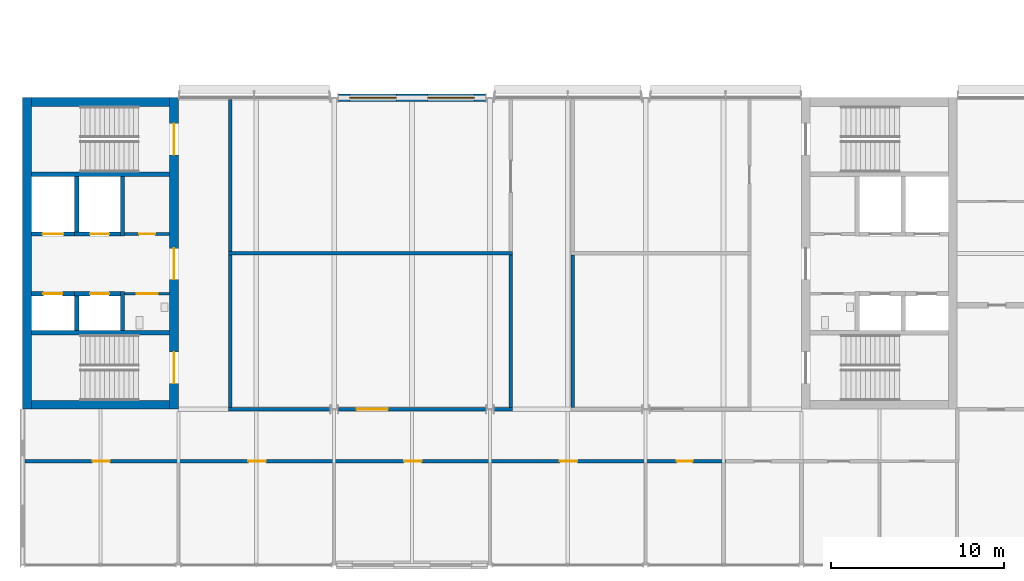
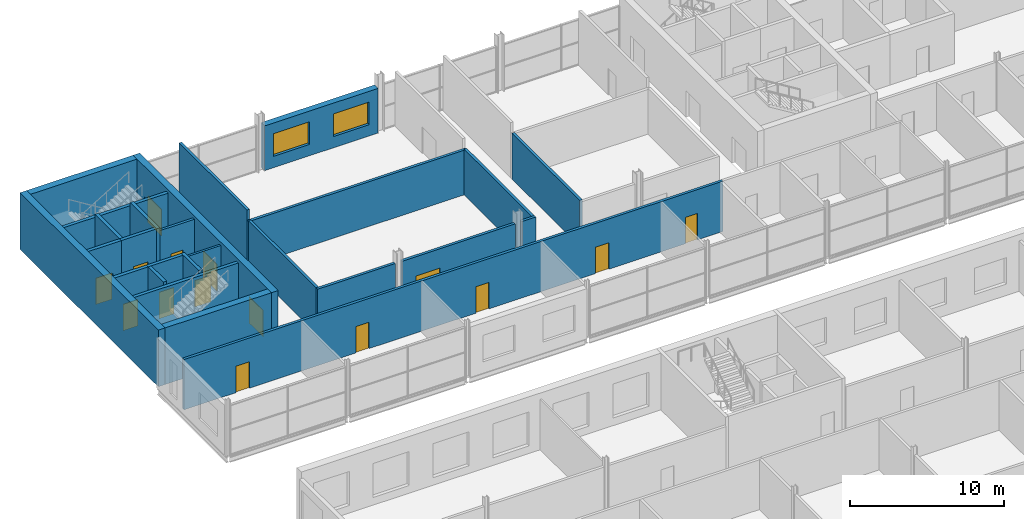
# One storey, part 73 of 97: 26 walls, 15 doors, 2 windows, 17 openings.
"""IFC4 building model written with IfcOpenShell, lengths in metres."""

from ifc_helpers import new_model, si_unit, direction, frame, frame_2d, origin, place, context, subcontext, project, spatial, rectangle, extrude, material, layer, layer_set, type_object, element, fill, save


model = new_model("IFC4")

# Units and contexts
model_context = context("Model", 3, precision=1e-05, world=origin(), true_north=direction((0.0, 1.0)))
body_context = subcontext(model_context, "Body", "Model", "MODEL_VIEW")
ifc_project = project(units=[si_unit("LENGTHUNIT", "METRE"), si_unit("AREAUNIT", "SQUARE_METRE"), si_unit("VOLUMEUNIT", "CUBIC_METRE"), si_unit("PLANEANGLEUNIT", "RADIAN"), si_unit("MASSUNIT", "GRAM", prefix="KILO")], contexts=[model_context])

# Site, building, storey
site_placement = place(None, origin())
site = spatial("IfcSite", under=ifc_project, at=site_placement, CompositionType="ELEMENT")
building_placement = place(site_placement, origin())
building = spatial("IfcBuilding", under=site, at=building_placement, Name="Corbel Yard City Hall", CompositionType="ELEMENT")
storey_placement = place(building_placement, frame((0.0, 0.0, 6.0)))
storey = spatial("IfcBuildingStorey", under=building, at=storey_placement, Name="L01", CompositionType="ELEMENT", Elevation=6.0)

# Wall, openings, windows
ifc_material_1 = material(Name="Sandstone cladding", Category="masonry")
ifc_layer_1 = layer(ifc_material_1, 0.06005859375)
ifc_material_2 = material(Name="Air cavity", Category="air")
ifc_layer_2 = layer(ifc_material_2, 0.0400390625)
ifc_material_3 = material(Name="Concrete N40 (40 MPa)", Category="concrete")
ifc_layer_3 = layer(ifc_material_3, 0.25)
ifc_material_4 = material(Name="Mineral wool", Category="insulation")
ifc_layer_4 = layer(ifc_material_4, 0.10009765625)
ifc_layer_set_1 = layer_set([ifc_layer_1, ifc_layer_2, ifc_layer_3, ifc_layer_4], Name="Concrete N40 (40 MPa)")
wall_type_1 = type_object("IfcWallType", Name="EW2", PredefinedType="SOLIDWALL", material=ifc_layer_set_1)
wall_1_placement = place(storey_placement, frame((18.239990234375, 117.0, 0.0), z_axis=(0.0, 0.0, 1.0), x_axis=(1.0, 0.0, 0.0)))
wall_1 = element("IfcWall", 1, at=wall_1_placement, inside=storey, type_object=wall_type_1, Name="Entrance pier wall", PredefinedType="SOLIDWALL", context=body_context, shape_type="SweptSolid", body=[
    extrude(rectangle(XDim=8.52001953125, YDim=0.449951171875, at=frame_2d((4.260009765625, 0.0))), origin(), (0.0, 0.0, 1.0), 3.550048828125),
])
opening_1_placement = place(wall_1_placement, frame((0.659912109375, 0.0, 0.89990234375)))
opening_1 = element("IfcOpeningElement", 2, at=opening_1_placement, cuts=wall_1, Name="Opening WN16", PredefinedType="OPENING", context=body_context, shape_type="SweptSolid", body=[
    extrude(rectangle(XDim=2.699951171875, YDim=1.800048828125, at=frame_2d((1.35009765625, 0.89990234375))), frame((0.0, 0.23486328125, 0.0), z_axis=(0.0, -1.0, 0.0), x_axis=(1.0, 0.0, 0.0)), (0.0, 0.0, 1.0), 0.469970703125),
])
opening_2_placement = place(wall_1_placement, frame((5.159912109375, 0.0, 0.89990234375)))
opening_2 = element("IfcOpeningElement", 3, at=opening_2_placement, cuts=wall_1, Name="Opening WN16", PredefinedType="OPENING", context=body_context, shape_type="SweptSolid", body=[
    extrude(rectangle(XDim=2.699951171875, YDim=1.800048828125, at=frame_2d((1.35009765625, 0.89990234375))), frame((0.0, 0.23486328125, 0.0), z_axis=(0.0, -1.0, 0.0), x_axis=(1.0, 0.0, 0.0)), (0.0, 0.0, 1.0), 0.469970703125),
])
ifc_material_5 = material(Name="Aluminium frame, double glazed low-e glass", Category="aluminium")
window_type = type_object("IfcWindowType", Name="WN16", PartitioningType="SINGLE_PANEL", PredefinedType="WINDOW", material=ifc_material_5)
window_1_placement = place(opening_1_placement, origin())
window_1 = element("IfcWindow", 4, at=window_1_placement, inside=storey, type_object=window_type, Name="Window WN16 L01", OverallHeight=1.800048828125, OverallWidth=2.699951171875, PartitioningType="SINGLE_PANEL", PredefinedType="WINDOW", context=body_context, shape_type="SweptSolid", body=[
    extrude(rectangle(XDim=2.699951171875, YDim=1.800048828125, at=frame_2d((1.35009765625, 0.89990234375))), frame((0.0, 0.030029296875, 0.0), z_axis=(0.0, -1.0, 0.0), x_axis=(1.0, 0.0, 0.0)), (0.0, 0.0, 1.0), 0.06005859375),
])
fill(opening_1, window_1)
window_2_placement = place(opening_2_placement, origin())
window_2 = element("IfcWindow", 5, at=window_2_placement, inside=storey, type_object=window_type, Name="Window WN16 L01", OverallHeight=1.800048828125, OverallWidth=2.699951171875, PartitioningType="SINGLE_PANEL", PredefinedType="WINDOW", context=body_context, shape_type="SweptSolid", body=[
    extrude(rectangle(XDim=2.699951171875, YDim=1.800048828125, at=frame_2d((1.35009765625, 0.89990234375))), frame((0.0, 0.030029296875, 0.0), z_axis=(0.0, -1.0, 0.0), x_axis=(1.0, 0.0, 0.0)), (0.0, 0.0, 1.0), 0.06005859375),
])
fill(opening_2, window_2)

# Walls
ifc_layer_5 = layer(ifc_material_3, 0.25)
ifc_layer_set_2 = layer_set([ifc_layer_5], Name="Concrete N40 (40 MPa)")
wall_type_2 = type_object("IfcWallType", Name="IW2", PredefinedType="SOLIDWALL", material=ifc_layer_set_2)
for number, where, z_axis, x_axis, name in (
    (6, (8.5, 103.425048828125, 0.0), (0.0, 0.0, 1.0), (-1.0, 0.0, 0.0), "Stair enclosure wall"),
    (7, (8.5, 112.574951171875, 0.0), (0.0, 0.0, 1.0), (-1.0, 0.0, 0.0), "Stair enclosure wall"),
):
    element("IfcWall", number, at=place(storey_placement, frame(where, z_axis=z_axis, x_axis=x_axis)), inside=storey, type_object=wall_type_2, Name=name, PredefinedType="SOLIDWALL", context=body_context, shape_type="SweptSolid", body=[
        extrude(rectangle(XDim=8.0, YDim=0.25, at=frame_2d((4.0, 0.0))), origin(), (0.0, 0.0, 1.0), 4.25),
    ])
wall_2_placement = place(storey_placement, frame((5.77490234375, 103.550048828125, 0.0), z_axis=(0.0, 0.0, 1.0), x_axis=(0.0, 1.0, 0.0)))
element("IfcWall", 8, at=wall_2_placement, inside=storey, type_object=wall_type_2, Name="Lift LP22 shaft wall", PredefinedType="SOLIDWALL", context=body_context, shape_type="SweptSolid", body=[
    extrude(rectangle(XDim=2.25, YDim=0.25, at=frame_2d((1.125, 0.0))), origin(), (0.0, 0.0, 1.0), 4.5),
])
wall_3_placement = place(storey_placement, frame((3.125, 103.550048828125, 0.0), z_axis=(0.0, 0.0, 1.0), x_axis=(0.0, 1.0, 0.0)))
element("IfcWall", 9, at=wall_3_placement, inside=storey, type_object=wall_type_2, Name="Lift LP22 shaft wall", PredefinedType="SOLIDWALL", context=body_context, shape_type="SweptSolid", body=[
    extrude(rectangle(XDim=2.0, YDim=0.25, at=frame_2d((1.0, 0.0))), origin(), (0.0, 0.0, 1.0), 4.5),
])

# Wall, opening, door
wall_4_placement = place(storey_placement, frame((5.64990234375, 105.675048828125, 0.0), z_axis=(0.0, 0.0, 1.0), x_axis=(-1.0, 0.0, 0.0)))
wall_4 = element("IfcWall", 10, at=wall_4_placement, inside=storey, type_object=wall_type_2, Name="Lift LP22 shaft wall", PredefinedType="SOLIDWALL", context=body_context, shape_type="SweptSolid", body=[
    extrude(rectangle(XDim=2.64990234375, YDim=0.25, at=frame_2d((1.324951171875, 0.0))), origin(), (0.0, 0.0, 1.0), 4.5),
])
opening_3_placement = place(wall_4_placement, frame((0.64990234375, 0.0, 0.0)))
opening_3 = element("IfcOpeningElement", 11, at=opening_3_placement, cuts=wall_4, Name="Opening L01-222", PredefinedType="OPENING", context=body_context, shape_type="SweptSolid", body=[
    extrude(rectangle(XDim=1.10009765625, YDim=2.10009765625, at=frame_2d((0.550048828125, 1.050048828125))), frame((0.0, 0.135009765625, 0.0), z_axis=(0.0, -1.0, 0.0), x_axis=(1.0, 0.0, 0.0)), (0.0, 0.0, 1.0), 0.27001953125),
])
ifc_material_6 = material(Name="Stainless steel Grade 316", Category="steel")
door_type_1 = type_object("IfcDoorType", Name="LD1", OperationType="DOUBLE_DOOR_SLIDING", PredefinedType="DOOR", material=ifc_material_6)
door_1_placement = place(opening_3_placement, origin())
door_1 = element("IfcDoor", 12, at=door_1_placement, inside=storey, type_object=door_type_1, Name="Lift LP22 landing door", OperationType="DOUBLE_DOOR_SLIDING", OverallHeight=2.10009765625, OverallWidth=1.10009765625, PredefinedType="DOOR", context=body_context, shape_type="SweptSolid", body=[
    extrude(rectangle(XDim=1.10009765625, YDim=2.10009765625, at=frame_2d((0.550048828125, 1.050048828125))), frame((0.0, 0.02490234375, 0.0), z_axis=(0.0, -1.0, 0.0), x_axis=(1.0, 0.0, 0.0)), (0.0, 0.0, 1.0), 0.050048828125),
])
fill(opening_3, door_1)

wall_5_placement = place(storey_placement, frame((3.0, 105.675048828125, 0.0), z_axis=(0.0, 0.0, 1.0), x_axis=(-1.0, 0.0, 0.0)))
wall_5 = element("IfcWall", 13, at=wall_5_placement, inside=storey, type_object=wall_type_2, Name="Lift LP23 shaft wall", PredefinedType="SOLIDWALL", context=body_context, shape_type="SweptSolid", body=[
    extrude(rectangle(XDim=2.5, YDim=0.25, at=frame_2d((1.25, 0.0))), origin(), (0.0, 0.0, 1.0), 4.5),
])
opening_4_placement = place(wall_5_placement, frame((0.699951171875, 0.0, 0.0)))
opening_4 = element("IfcOpeningElement", 14, at=opening_4_placement, cuts=wall_5, Name="Opening L01-223", PredefinedType="OPENING", context=body_context, shape_type="SweptSolid", body=[
    extrude(rectangle(XDim=1.10009765625, YDim=2.10009765625, at=frame_2d((0.550048828125, 1.050048828125))), frame((0.0, 0.135009765625, 0.0), z_axis=(0.0, -1.0, 0.0), x_axis=(1.0, 0.0, 0.0)), (0.0, 0.0, 1.0), 0.27001953125),
])
door_2_placement = place(opening_4_placement, origin())
door_2 = element("IfcDoor", 15, at=door_2_placement, inside=storey, type_object=door_type_1, Name="Lift LP23 landing door", OperationType="DOUBLE_DOOR_SLIDING", OverallHeight=2.10009765625, OverallWidth=1.10009765625, PredefinedType="DOOR", context=body_context, shape_type="SweptSolid", body=[
    extrude(rectangle(XDim=1.10009765625, YDim=2.10009765625, at=frame_2d((0.550048828125, 1.050048828125))), frame((0.0, 0.02490234375, 0.0), z_axis=(0.0, -1.0, 0.0), x_axis=(1.0, 0.0, 0.0)), (0.0, 0.0, 1.0), 0.050048828125),
])
fill(opening_4, door_2)

# Walls
wall_6_placement = place(storey_placement, frame((5.77490234375, 109.0, 0.0), z_axis=(0.0, 0.0, 1.0), x_axis=(0.0, 1.0, 0.0)))
element("IfcWall", 16, at=wall_6_placement, inside=storey, type_object=wall_type_2, Name="Lift LP24 shaft wall", PredefinedType="SOLIDWALL", context=body_context, shape_type="SweptSolid", body=[
    extrude(rectangle(XDim=3.449951171875, YDim=0.25, at=frame_2d((1.72509765625, 0.0))), origin(), (0.0, 0.0, 1.0), 4.5),
])
wall_7_placement = place(storey_placement, frame((3.125, 109.25, 0.0), z_axis=(0.0, 0.0, 1.0), x_axis=(0.0, 1.0, 0.0)))
element("IfcWall", 17, at=wall_7_placement, inside=storey, type_object=wall_type_2, Name="Lift LP24 shaft wall", PredefinedType="SOLIDWALL", context=body_context, shape_type="SweptSolid", body=[
    extrude(rectangle(XDim=3.199951171875, YDim=0.25, at=frame_2d((1.60009765625, 0.0))), origin(), (0.0, 0.0, 1.0), 4.5),
])

# Wall, opening, door
wall_8_placement = place(storey_placement, frame((5.64990234375, 109.125, 0.0), z_axis=(0.0, 0.0, 1.0), x_axis=(-1.0, 0.0, 0.0)))
wall_8 = element("IfcWall", 18, at=wall_8_placement, inside=storey, type_object=wall_type_2, Name="Lift LP24 shaft wall", PredefinedType="SOLIDWALL", context=body_context, shape_type="SweptSolid", body=[
    extrude(rectangle(XDim=2.64990234375, YDim=0.25, at=frame_2d((1.324951171875, 0.0))), origin(), (0.0, 0.0, 1.0), 4.5),
])
opening_5_placement = place(wall_8_placement, frame((0.64990234375, 0.0, 0.0)))
opening_5 = element("IfcOpeningElement", 19, at=opening_5_placement, cuts=wall_8, Name="Opening L01-224", PredefinedType="OPENING", context=body_context, shape_type="SweptSolid", body=[
    extrude(rectangle(XDim=1.10009765625, YDim=2.10009765625, at=frame_2d((0.550048828125, 1.050048828125))), frame((0.0, 0.135009765625, 0.0), z_axis=(0.0, -1.0, 0.0), x_axis=(1.0, 0.0, 0.0)), (0.0, 0.0, 1.0), 0.27001953125),
])
door_3_placement = place(opening_5_placement, origin())
door_3 = element("IfcDoor", 20, at=door_3_placement, inside=storey, type_object=door_type_1, Name="Lift LP24 landing door", OperationType="DOUBLE_DOOR_SLIDING", OverallHeight=2.10009765625, OverallWidth=1.10009765625, PredefinedType="DOOR", context=body_context, shape_type="SweptSolid", body=[
    extrude(rectangle(XDim=1.10009765625, YDim=2.10009765625, at=frame_2d((0.550048828125, 1.050048828125))), frame((0.0, 0.02490234375, 0.0), z_axis=(0.0, -1.0, 0.0), x_axis=(1.0, 0.0, 0.0)), (0.0, 0.0, 1.0), 0.050048828125),
])
fill(opening_5, door_3)

wall_9_placement = place(storey_placement, frame((3.0, 109.125, 0.0), z_axis=(0.0, 0.0, 1.0), x_axis=(-1.0, 0.0, 0.0)))
wall_9 = element("IfcWall", 21, at=wall_9_placement, inside=storey, type_object=wall_type_2, Name="Lift LF1 shaft wall", PredefinedType="SOLIDWALL", context=body_context, shape_type="SweptSolid", body=[
    extrude(rectangle(XDim=2.5, YDim=0.25, at=frame_2d((1.25, 0.0))), origin(), (0.0, 0.0, 1.0), 4.5),
])
opening_6_placement = place(wall_9_placement, frame((0.64990234375, 0.0, 0.0)))
opening_6 = element("IfcOpeningElement", 22, at=opening_6_placement, cuts=wall_9, Name="Opening L01-225", PredefinedType="OPENING", context=body_context, shape_type="SweptSolid", body=[
    extrude(rectangle(XDim=1.199951171875, YDim=2.10009765625, at=frame_2d((0.60009765625, 1.050048828125))), frame((0.0, 0.135009765625, 0.0), z_axis=(0.0, -1.0, 0.0), x_axis=(1.0, 0.0, 0.0)), (0.0, 0.0, 1.0), 0.27001953125),
])
door_type_2 = type_object("IfcDoorType", Name="LD2", OperationType="DOUBLE_DOOR_SLIDING", PredefinedType="DOOR", material=ifc_material_6)
door_4_placement = place(opening_6_placement, origin())
door_4 = element("IfcDoor", 23, at=door_4_placement, inside=storey, type_object=door_type_2, Name="Lift LF1 landing door", OperationType="DOUBLE_DOOR_SLIDING", OverallHeight=2.10009765625, OverallWidth=1.199951171875, PredefinedType="DOOR", context=body_context, shape_type="SweptSolid", body=[
    extrude(rectangle(XDim=1.199951171875, YDim=2.10009765625, at=frame_2d((0.60009765625, 1.050048828125))), frame((0.0, 0.02490234375, 0.0), z_axis=(0.0, -1.0, 0.0), x_axis=(1.0, 0.0, 0.0)), (0.0, 0.0, 1.0), 0.050048828125),
])
fill(opening_6, door_4)

# Wall, openings, doors
ifc_material_7 = material(Name="Gypsum plasterboard", Category="gypsum")
ifc_layer_6 = layer(ifc_material_7, 0.031982421875)
ifc_material_8 = material(Name="Steel Grade G550 (550 MPa yield)", Category="steel")
ifc_layer_7 = layer(ifc_material_8, 0.135986328125)
ifc_layer_8 = layer(ifc_material_7, 0.031982421875)
ifc_layer_set_3 = layer_set([ifc_layer_6, ifc_layer_7, ifc_layer_8], Name="Steel Grade G550 (550 MPa yield)")
wall_type_3 = type_object("IfcWallType", Name="PT2", PredefinedType="PARTITIONING", material=ifc_layer_set_3)
wall_10_placement = place(storey_placement, frame((0.14990234375, 96.0, 0.0), z_axis=(0.0, 0.0, 1.0), x_axis=(1.0, 0.0, 0.0)))
wall_10 = element("IfcWall", 24, at=wall_10_placement, inside=storey, type_object=wall_type_3, Name="Acoustic wall", PredefinedType="PARTITIONING", context=body_context, shape_type="SweptSolid", body=[
    extrude(rectangle(XDim=40.460205078125, YDim=0.199951171875, at=frame_2d((20.22998046875, 0.0))), origin(), (0.0, 0.0, 1.0), 3.990966796875),
])
opening_7_placement = place(wall_10_placement, frame((3.89990234375, 0.0, 0.0)))
opening_7 = element("IfcOpeningElement", 25, at=opening_7_placement, cuts=wall_10, Name="Opening L01-165", PredefinedType="OPENING", context=body_context, shape_type="SweptSolid", body=[
    extrude(rectangle(XDim=1.0, YDim=2.10009765625, at=frame_2d((0.5, 1.050048828125))), frame((0.0, 0.10986328125, 0.0), z_axis=(0.0, -1.0, 0.0), x_axis=(1.0, 0.0, 0.0)), (0.0, 0.0, 1.0), 0.219970703125),
])
opening_8_placement = place(wall_10_placement, frame((12.89990234375, 0.0, 0.0)))
opening_8 = element("IfcOpeningElement", 26, at=opening_8_placement, cuts=wall_10, Name="Opening L01-166", PredefinedType="OPENING", context=body_context, shape_type="SweptSolid", body=[
    extrude(rectangle(XDim=1.0, YDim=2.10009765625, at=frame_2d((0.5, 1.050048828125))), frame((0.0, 0.10986328125, 0.0), z_axis=(0.0, -1.0, 0.0), x_axis=(1.0, 0.0, 0.0)), (0.0, 0.0, 1.0), 0.219970703125),
])
opening_9_placement = place(wall_10_placement, frame((21.89990234375, 0.0, 0.0)))
opening_9 = element("IfcOpeningElement", 27, at=opening_9_placement, cuts=wall_10, Name="Opening L01-167", PredefinedType="OPENING", context=body_context, shape_type="SweptSolid", body=[
    extrude(rectangle(XDim=1.0, YDim=2.10009765625, at=frame_2d((0.5, 1.050048828125))), frame((0.0, 0.10986328125, 0.0), z_axis=(0.0, -1.0, 0.0), x_axis=(1.0, 0.0, 0.0)), (0.0, 0.0, 1.0), 0.219970703125),
])
opening_10_placement = place(wall_10_placement, frame((30.89990234375, 0.0, 0.0)))
opening_10 = element("IfcOpeningElement", 28, at=opening_10_placement, cuts=wall_10, Name="Opening L01-168", PredefinedType="OPENING", context=body_context, shape_type="SweptSolid", body=[
    extrude(rectangle(XDim=1.0, YDim=2.10009765625, at=frame_2d((0.5, 1.050048828125))), frame((0.0, 0.10986328125, 0.0), z_axis=(0.0, -1.0, 0.0), x_axis=(1.0, 0.0, 0.0)), (0.0, 0.0, 1.0), 0.219970703125),
])
opening_11_placement = place(wall_10_placement, frame((37.64990234375, 0.0, 0.0)))
opening_11 = element("IfcOpeningElement", 29, at=opening_11_placement, cuts=wall_10, Name="Opening L01-169", PredefinedType="OPENING", context=body_context, shape_type="SweptSolid", body=[
    extrude(rectangle(XDim=0.919921875, YDim=2.10009765625, at=frame_2d((0.4599609375, 1.050048828125))), frame((0.0, 0.10986328125, 0.0), z_axis=(0.0, -1.0, 0.0), x_axis=(1.0, 0.0, 0.0)), (0.0, 0.0, 1.0), 0.219970703125),
])
ifc_material_9 = material(Name="Timber", Category="wood")
door_type_3 = type_object("IfcDoorType", Name="D1", OperationType="SINGLE_SWING_LEFT", PredefinedType="DOOR", material=ifc_material_9)
door_5_placement = place(opening_7_placement, frame((1.0, 0.0, 0.0), z_axis=(0.0, 0.0, 1.0), x_axis=(-1.0, 0.0, 0.0)))
door_5 = element("IfcDoor", 30, at=door_5_placement, inside=storey, type_object=door_type_3, Name="Door Staff Meeting Room 1", OperationType="SINGLE_SWING_RIGHT", OverallHeight=2.10009765625, OverallWidth=1.0, PredefinedType="DOOR", context=body_context, shape_type="SweptSolid", body=[
    extrude(rectangle(XDim=1.0, YDim=2.10009765625, at=frame_2d((0.5, 1.050048828125))), frame((0.0, 0.02490234375, 0.0), z_axis=(0.0, -1.0, 0.0), x_axis=(1.0, 0.0, 0.0)), (0.0, 0.0, 1.0), 0.050048828125),
])
fill(opening_7, door_5)
door_6_placement = place(opening_8_placement, frame((1.0, 0.0, 0.0), z_axis=(0.0, 0.0, 1.0), x_axis=(-1.0, 0.0, 0.0)))
door_6 = element("IfcDoor", 31, at=door_6_placement, inside=storey, type_object=door_type_3, Name="Door Staff Meeting Room 2", OperationType="SINGLE_SWING_LEFT", OverallHeight=2.10009765625, OverallWidth=1.0, PredefinedType="DOOR", context=body_context, shape_type="SweptSolid", body=[
    extrude(rectangle(XDim=1.0, YDim=2.10009765625, at=frame_2d((0.5, 1.050048828125))), frame((0.0, 0.02490234375, 0.0), z_axis=(0.0, -1.0, 0.0), x_axis=(1.0, 0.0, 0.0)), (0.0, 0.0, 1.0), 0.050048828125),
])
fill(opening_8, door_6)
door_7_placement = place(opening_9_placement, frame((1.0, 0.0, 0.0), z_axis=(0.0, 0.0, 1.0), x_axis=(-1.0, 0.0, 0.0)))
door_7 = element("IfcDoor", 32, at=door_7_placement, inside=storey, type_object=door_type_3, Name="Door Staff Meeting Room 3", OperationType="SINGLE_SWING_LEFT", OverallHeight=2.10009765625, OverallWidth=1.0, PredefinedType="DOOR", context=body_context, shape_type="SweptSolid", body=[
    extrude(rectangle(XDim=1.0, YDim=2.10009765625, at=frame_2d((0.5, 1.050048828125))), frame((0.0, 0.02490234375, 0.0), z_axis=(0.0, -1.0, 0.0), x_axis=(1.0, 0.0, 0.0)), (0.0, 0.0, 1.0), 0.050048828125),
])
fill(opening_9, door_7)
door_8_placement = place(opening_10_placement, frame((1.0, 0.0, 0.0), z_axis=(0.0, 0.0, 1.0), x_axis=(-1.0, 0.0, 0.0)))
door_8 = element("IfcDoor", 33, at=door_8_placement, inside=storey, type_object=door_type_3, Name="Door Staff Meeting Room 4", OperationType="SINGLE_SWING_LEFT", OverallHeight=2.10009765625, OverallWidth=1.0, PredefinedType="DOOR", context=body_context, shape_type="SweptSolid", body=[
    extrude(rectangle(XDim=1.0, YDim=2.10009765625, at=frame_2d((0.5, 1.050048828125))), frame((0.0, 0.02490234375, 0.0), z_axis=(0.0, -1.0, 0.0), x_axis=(1.0, 0.0, 0.0)), (0.0, 0.0, 1.0), 0.050048828125),
])
fill(opening_10, door_8)
door_type_4 = type_object("IfcDoorType", Name="D5", OperationType="SINGLE_SWING_RIGHT", PredefinedType="DOOR", material=ifc_material_9)
door_9_placement = place(opening_11_placement, frame((0.919921875, 0.0, 0.0), z_axis=(0.0, 0.0, 1.0), x_axis=(-1.0, 0.0, 0.0)))
door_9 = element("IfcDoor", 34, at=door_9_placement, inside=storey, type_object=door_type_4, Name="Door Women's WC", OperationType="SINGLE_SWING_LEFT", OverallHeight=2.10009765625, OverallWidth=0.919921875, PredefinedType="DOOR", context=body_context, shape_type="SweptSolid", body=[
    extrude(rectangle(XDim=0.919921875, YDim=2.10009765625, at=frame_2d((0.4599609375, 1.050048828125))), frame((0.0, 0.02490234375, 0.0), z_axis=(0.0, -1.0, 0.0), x_axis=(1.0, 0.0, 0.0)), (0.0, 0.0, 1.0), 0.050048828125),
])
fill(opening_11, door_9)

# Wall
wall_11_placement = place(storey_placement, frame((11.89990234375, 99.0, 0.0), z_axis=(0.0, 0.0, 1.0), x_axis=(1.0, 0.0, 0.0)))
element("IfcWall", 35, at=wall_11_placement, inside=storey, type_object=wall_type_3, Name="Acoustic wall", PredefinedType="PARTITIONING", context=body_context, shape_type="SweptSolid", body=[
    extrude(rectangle(XDim=5.85009765625, YDim=0.199951171875, at=frame_2d((2.925048828125, 0.0))), origin(), (0.0, 0.0, 1.0), 3.639892578125),
])

# Wall, opening, door
wall_12_placement = place(storey_placement, frame((18.25, 99.0, 0.0), z_axis=(0.0, 0.0, 1.0), x_axis=(1.0, 0.0, 0.0)))
wall_12 = element("IfcWall", 36, at=wall_12_placement, inside=storey, type_object=wall_type_3, Name="Acoustic wall", PredefinedType="PARTITIONING", context=body_context, shape_type="SweptSolid", body=[
    extrude(rectangle(XDim=8.5, YDim=0.199951171875, at=frame_2d((4.25, 0.0))), origin(), (0.0, 0.0, 1.0), 3.639892578125),
])
opening_12_placement = place(wall_12_placement, frame((1.050048828125, 0.0, 0.0)))
opening_12 = element("IfcOpeningElement", 37, at=opening_12_placement, cuts=wall_12, Name="Opening L01-173", PredefinedType="OPENING", context=body_context, shape_type="SweptSolid", body=[
    extrude(rectangle(XDim=1.800048828125, YDim=2.10009765625, at=frame_2d((0.89990234375, 1.050048828125))), frame((0.0, 0.10986328125, 0.0), z_axis=(0.0, -1.0, 0.0), x_axis=(1.0, 0.0, 0.0)), (0.0, 0.0, 1.0), 0.219970703125),
])
door_type_5 = type_object("IfcDoorType", Name="D3", OperationType="DOUBLE_DOOR_SINGLE_SWING", PredefinedType="DOOR", material=ifc_material_9)
door_10_placement = place(opening_12_placement, origin())
door_10 = element("IfcDoor", 38, at=door_10_placement, inside=storey, type_object=door_type_5, Name="Door Tower Training Room 1", OperationType="DOUBLE_DOOR_SINGLE_SWING", OverallHeight=2.10009765625, OverallWidth=1.800048828125, PredefinedType="DOOR", context=body_context, shape_type="SweptSolid", body=[
    extrude(rectangle(XDim=1.800048828125, YDim=2.10009765625, at=frame_2d((0.89990234375, 1.050048828125))), frame((0.0, 0.02490234375, 0.0), z_axis=(0.0, -1.0, 0.0), x_axis=(1.0, 0.0, 0.0)), (0.0, 0.0, 1.0), 0.050048828125),
])
fill(opening_12, door_10)

# Walls
wall_13_placement = place(storey_placement, frame((27.25, 99.0, 0.0), z_axis=(0.0, 0.0, 1.0), x_axis=(1.0, 0.0, 0.0)))
element("IfcWall", 39, at=wall_13_placement, inside=storey, type_object=wall_type_3, Name="Acoustic wall", PredefinedType="PARTITIONING", context=body_context, shape_type="SweptSolid", body=[
    extrude(rectangle(XDim=1.050048828125, YDim=0.199951171875, at=frame_2d((0.52490234375, 0.0))), origin(), (0.0, 0.0, 1.0), 3.639892578125),
])
wall_14_placement = place(storey_placement, frame((11.89990234375, 108.0, 0.0), z_axis=(0.0, 0.0, 1.0), x_axis=(1.0, 0.0, 0.0)))
element("IfcWall", 40, at=wall_14_placement, inside=storey, type_object=wall_type_3, Name="Acoustic wall", PredefinedType="PARTITIONING", context=body_context, shape_type="SweptSolid", body=[
    extrude(rectangle(XDim=16.400146484375, YDim=0.199951171875, at=frame_2d((8.2001953125, 0.0))), origin(), (0.0, 0.0, 1.0), 3.550048828125),
])
wall_15_placement = place(storey_placement, frame((12.0, 99.10009765625, 0.0), z_axis=(0.0, 0.0, 1.0), x_axis=(0.0, 1.0, 0.0)))
element("IfcWall", 41, at=wall_15_placement, inside=storey, type_object=wall_type_3, Name="Acoustic wall", PredefinedType="PARTITIONING", context=body_context, shape_type="SweptSolid", body=[
    extrude(rectangle(XDim=8.7998046875, YDim=0.199951171875, at=frame_2d((4.39990234375, 0.0))), origin(), (0.0, 0.0, 1.0), 3.639892578125),
])
wall_16_placement = place(storey_placement, frame((12.0, 108.10009765625, 0.0), z_axis=(0.0, 0.0, 1.0), x_axis=(0.0, 1.0, 0.0)))
element("IfcWall", 42, at=wall_16_placement, inside=storey, type_object=wall_type_3, Name="Acoustic wall", PredefinedType="PARTITIONING", context=body_context, shape_type="SweptSolid", body=[
    extrude(rectangle(XDim=8.7998046875, YDim=0.199951171875, at=frame_2d((4.39990234375, 0.0))), origin(), (0.0, 0.0, 1.0), 4.35009765625),
])
for number, where, z_axis, x_axis, name in (
    (43, (28.199951171875, 99.10009765625, 0.0), (0.0, 0.0, 1.0), (0.0, 1.0, 0.0), "Acoustic wall"),
    (44, (31.800048828125, 99.10009765625, 0.0), (0.0, 0.0, 1.0), (0.0, 1.0, 0.0), "Acoustic wall"),
):
    element("IfcWall", number, at=place(storey_placement, frame(where, z_axis=z_axis, x_axis=x_axis)), inside=storey, type_object=wall_type_3, Name=name, PredefinedType="PARTITIONING", context=body_context, shape_type="SweptSolid", body=[
        extrude(rectangle(XDim=8.7998046875, YDim=0.199951171875, at=frame_2d((4.39990234375, 0.0))), origin(), (0.0, 0.0, 1.0), 3.639892578125),
    ])

# Wall, opening, door
ifc_layer_9 = layer(ifc_material_7, 0.031982421875)
ifc_layer_10 = layer(ifc_material_8, 0.095947265625)
ifc_layer_11 = layer(ifc_material_7, 0.031982421875)
ifc_layer_set_4 = layer_set([ifc_layer_9, ifc_layer_10, ifc_layer_11], Name="Steel Grade G550 (550 MPa yield)")
wall_type_4 = type_object("IfcWallType", Name="PT3", PredefinedType="PARTITIONING", material=ifc_layer_set_4)
wall_17_placement = place(storey_placement, frame((8.5, 105.675048828125, 0.0), z_axis=(0.0, 0.0, 1.0), x_axis=(-1.0, 0.0, 0.0)))
wall_17 = element("IfcWall", 45, at=wall_17_placement, inside=storey, type_object=wall_type_4, Name="Accessible WC wall", PredefinedType="PARTITIONING", context=body_context, shape_type="SweptSolid", body=[
    extrude(rectangle(XDim=2.60009765625, YDim=0.159912109375, at=frame_2d((1.300048828125, 0.0))), origin(), (0.0, 0.0, 1.0), 4.25),
])
opening_13_placement = place(wall_17_placement, frame((0.699951171875, 0.0, 0.0)))
opening_13 = element("IfcOpeningElement", 46, at=opening_13_placement, cuts=wall_17, Name="Opening L01-233", PredefinedType="OPENING", context=body_context, shape_type="SweptSolid", body=[
    extrude(rectangle(XDim=1.199951171875, YDim=2.10009765625, at=frame_2d((0.60009765625, 1.050048828125))), frame((0.0, 0.08984375, 0.0), z_axis=(0.0, -1.0, 0.0), x_axis=(1.0, 0.0, 0.0)), (0.0, 0.0, 1.0), 0.179931640625),
])
ifc_material_10 = material(Name="Steel Grade G250", Category="steel")
door_type_6 = type_object("IfcDoorType", Name="FD7", OperationType="SINGLE_SWING_LEFT", PredefinedType="DOOR", material=ifc_material_10)
door_11_placement = place(opening_13_placement, origin())
door_11 = element("IfcDoor", 47, at=door_11_placement, inside=storey, type_object=door_type_6, Name="Door accessible WC West", OperationType="SINGLE_SWING_LEFT", OverallHeight=2.10009765625, OverallWidth=1.199951171875, PredefinedType="DOOR", context=body_context, shape_type="SweptSolid", body=[
    extrude(rectangle(XDim=1.199951171875, YDim=2.10009765625, at=frame_2d((0.60009765625, 1.050048828125))), frame((0.0, 0.02490234375, 0.0), z_axis=(0.0, -1.0, 0.0), x_axis=(1.0, 0.0, 0.0)), (0.0, 0.0, 1.0), 0.050048828125),
])
fill(opening_13, door_11)

ifc_material_11 = material(Name="Concrete block", Category="concrete")
ifc_layer_12 = layer(ifc_material_11, 0.18994140625)
ifc_layer_set_5 = layer_set([ifc_layer_12], Name="Concrete block")
wall_type_5 = type_object("IfcWallType", Name="PT4", PredefinedType="PARTITIONING", material=ifc_layer_set_5)
wall_18_placement = place(storey_placement, frame((8.5, 109.125, 0.0), z_axis=(0.0, 0.0, 1.0), x_axis=(-1.0, 0.0, 0.0)))
wall_18 = element("IfcWall", 48, at=wall_18_placement, inside=storey, type_object=wall_type_5, Name="Riser wall", PredefinedType="PARTITIONING", context=body_context, shape_type="SweptSolid", body=[
    extrude(rectangle(XDim=2.60009765625, YDim=0.18994140625, at=frame_2d((1.300048828125, 0.0))), origin(), (0.0, 0.0, 1.0), 4.25),
])
opening_14_placement = place(wall_18_placement, frame((0.840087890625, 0.0, 0.0)))
opening_14 = element("IfcOpeningElement", 49, at=opening_14_placement, cuts=wall_18, Name="Opening L01-234", PredefinedType="OPENING", context=body_context, shape_type="SweptSolid", body=[
    extrude(rectangle(XDim=0.919921875, YDim=2.10009765625, at=frame_2d((0.4599609375, 1.050048828125))), frame((0.0, 0.10498046875, 0.0), z_axis=(0.0, -1.0, 0.0), x_axis=(1.0, 0.0, 0.0)), (0.0, 0.0, 1.0), 0.2099609375),
])
door_type_7 = type_object("IfcDoorType", Name="FS4", OperationType="SINGLE_SWING_LEFT", PredefinedType="DOOR", material=ifc_material_10)
door_12_placement = place(opening_14_placement, frame((0.919921875, 0.0, 0.0), z_axis=(0.0, 0.0, 1.0), x_axis=(-1.0, 0.0, 0.0)))
door_12 = element("IfcDoor", 50, at=door_12_placement, inside=storey, type_object=door_type_7, Name="Door riser West", OperationType="SINGLE_SWING_RIGHT", OverallHeight=2.10009765625, OverallWidth=0.919921875, PredefinedType="DOOR", context=body_context, shape_type="SweptSolid", body=[
    extrude(rectangle(XDim=0.919921875, YDim=2.10009765625, at=frame_2d((0.4599609375, 1.050048828125))), frame((0.0, 0.02490234375, 0.0), z_axis=(0.0, -1.0, 0.0), x_axis=(1.0, 0.0, 0.0)), (0.0, 0.0, 1.0), 0.050048828125),
])
fill(opening_14, door_12)

# Wall
ifc_material_12 = material(Name="Concrete N50 (50 MPa)", Category="concrete")
ifc_layer_13 = layer(ifc_material_12, 0.5)
ifc_layer_set_6 = layer_set([ifc_layer_13], Name="Concrete N50 (50 MPa)")
wall_type_6 = type_object("IfcWallType", Name="Trunk wall 500", PredefinedType="SHEAR", material=ifc_layer_set_6)
wall_19_placement = place(storey_placement, frame((0.25, 99.0, 0.0), z_axis=(0.0, 0.0, 1.0), x_axis=(0.0, 1.0, 0.0)))
element("IfcWall", 51, at=wall_19_placement, inside=storey, type_object=wall_type_6, Name="Trunk W west wall", PredefinedType="SHEAR", context=body_context, shape_type="SweptSolid", body=[
    extrude(rectangle(XDim=18.0, YDim=0.5, at=frame_2d((9.0, 0.0))), origin(), (0.0, 0.0, 1.0), 4.5),
])

# Wall, openings, doors
wall_20_placement = place(storey_placement, frame((8.75, 99.0, 0.0), z_axis=(0.0, 0.0, 1.0), x_axis=(0.0, 1.0, 0.0)))
wall_20 = element("IfcWall", 52, at=wall_20_placement, inside=storey, type_object=wall_type_6, Name="Trunk W east wall", PredefinedType="SHEAR", context=body_context, shape_type="SweptSolid", body=[
    extrude(rectangle(XDim=18.0, YDim=0.5, at=frame_2d((9.0, 0.0))), origin(), (0.0, 0.0, 1.0), 4.5),
])
opening_15_placement = place(wall_20_placement, frame((1.5, 0.0, 0.0)))
opening_15 = element("IfcOpeningElement", 53, at=opening_15_placement, cuts=wall_20, Name="Opening L01-230", PredefinedType="OPENING", context=body_context, shape_type="SweptSolid", body=[
    extrude(rectangle(XDim=1.800048828125, YDim=2.10009765625, at=frame_2d((0.89990234375, 1.050048828125))), frame((0.0, 0.260009765625, 0.0), z_axis=(0.0, -1.0, 0.0), x_axis=(1.0, 0.0, 0.0)), (0.0, 0.0, 1.0), 0.52001953125),
])
opening_16_placement = place(wall_20_placement, frame((14.699951171875, 0.0, 0.0)))
opening_16 = element("IfcOpeningElement", 54, at=opening_16_placement, cuts=wall_20, Name="Opening L01-231", PredefinedType="OPENING", context=body_context, shape_type="SweptSolid", body=[
    extrude(rectangle(XDim=1.800048828125, YDim=2.10009765625, at=frame_2d((0.89990234375, 1.050048828125))), frame((0.0, 0.260009765625, 0.0), z_axis=(0.0, -1.0, 0.0), x_axis=(1.0, 0.0, 0.0)), (0.0, 0.0, 1.0), 0.52001953125),
])
opening_17_placement = place(wall_20_placement, frame((7.5, 0.0, 0.0)))
opening_17 = element("IfcOpeningElement", 55, at=opening_17_placement, cuts=wall_20, Name="Opening L01-232", PredefinedType="OPENING", context=body_context, shape_type="SweptSolid", body=[
    extrude(rectangle(XDim=1.800048828125, YDim=2.10009765625, at=frame_2d((0.89990234375, 1.050048828125))), frame((0.0, 0.260009765625, 0.0), z_axis=(0.0, -1.0, 0.0), x_axis=(1.0, 0.0, 0.0)), (0.0, 0.0, 1.0), 0.52001953125),
])
door_type_8 = type_object("IfcDoorType", Name="FS3", OperationType="DOUBLE_DOOR_SINGLE_SWING", PredefinedType="DOOR", material=ifc_material_10)
door_13_placement = place(opening_15_placement, origin())
door_13 = element("IfcDoor", 56, at=door_13_placement, inside=storey, type_object=door_type_8, Name="Door ST-W1", OperationType="DOUBLE_DOOR_SINGLE_SWING", OverallHeight=2.10009765625, OverallWidth=1.800048828125, PredefinedType="DOOR", context=body_context, shape_type="SweptSolid", body=[
    extrude(rectangle(XDim=1.800048828125, YDim=2.10009765625, at=frame_2d((0.89990234375, 1.050048828125))), frame((0.0, 0.02490234375, 0.0), z_axis=(0.0, -1.0, 0.0), x_axis=(1.0, 0.0, 0.0)), (0.0, 0.0, 1.0), 0.050048828125),
])
fill(opening_15, door_13)
door_14_placement = place(opening_16_placement, origin())
door_14 = element("IfcDoor", 57, at=door_14_placement, inside=storey, type_object=door_type_8, Name="Door ST-W2", OperationType="DOUBLE_DOOR_SINGLE_SWING", OverallHeight=2.10009765625, OverallWidth=1.800048828125, PredefinedType="DOOR", context=body_context, shape_type="SweptSolid", body=[
    extrude(rectangle(XDim=1.800048828125, YDim=2.10009765625, at=frame_2d((0.89990234375, 1.050048828125))), frame((0.0, 0.02490234375, 0.0), z_axis=(0.0, -1.0, 0.0), x_axis=(1.0, 0.0, 0.0)), (0.0, 0.0, 1.0), 0.050048828125),
])
fill(opening_16, door_14)
door_15_placement = place(opening_17_placement, origin())
door_15 = element("IfcDoor", 58, at=door_15_placement, inside=storey, type_object=door_type_8, Name="Door lift lobby West", OperationType="DOUBLE_DOOR_SINGLE_SWING", OverallHeight=2.10009765625, OverallWidth=1.800048828125, PredefinedType="DOOR", context=body_context, shape_type="SweptSolid", body=[
    extrude(rectangle(XDim=1.800048828125, YDim=2.10009765625, at=frame_2d((0.89990234375, 1.050048828125))), frame((0.0, 0.02490234375, 0.0), z_axis=(0.0, -1.0, 0.0), x_axis=(1.0, 0.0, 0.0)), (0.0, 0.0, 1.0), 0.050048828125),
])
fill(opening_17, door_15)

# Walls
for number, where, z_axis, x_axis, name in (
    (59, (0.5, 99.25, 0.0), (0.0, 0.0, 1.0), (1.0, 0.0, 0.0), "Trunk W south wall"),
    (60, (0.5, 116.75, 0.0), (0.0, 0.0, 1.0), (1.0, 0.0, 0.0), "Trunk W north wall"),
):
    element("IfcWall", number, at=place(storey_placement, frame(where, z_axis=z_axis, x_axis=x_axis)), inside=storey, type_object=wall_type_6, Name=name, PredefinedType="SHEAR", context=body_context, shape_type="SweptSolid", body=[
        extrude(rectangle(XDim=8.0, YDim=0.5, at=frame_2d((4.0, 0.0))), origin(), (0.0, 0.0, 1.0), 4.5),
    ])

save(model, "model.ifc")
